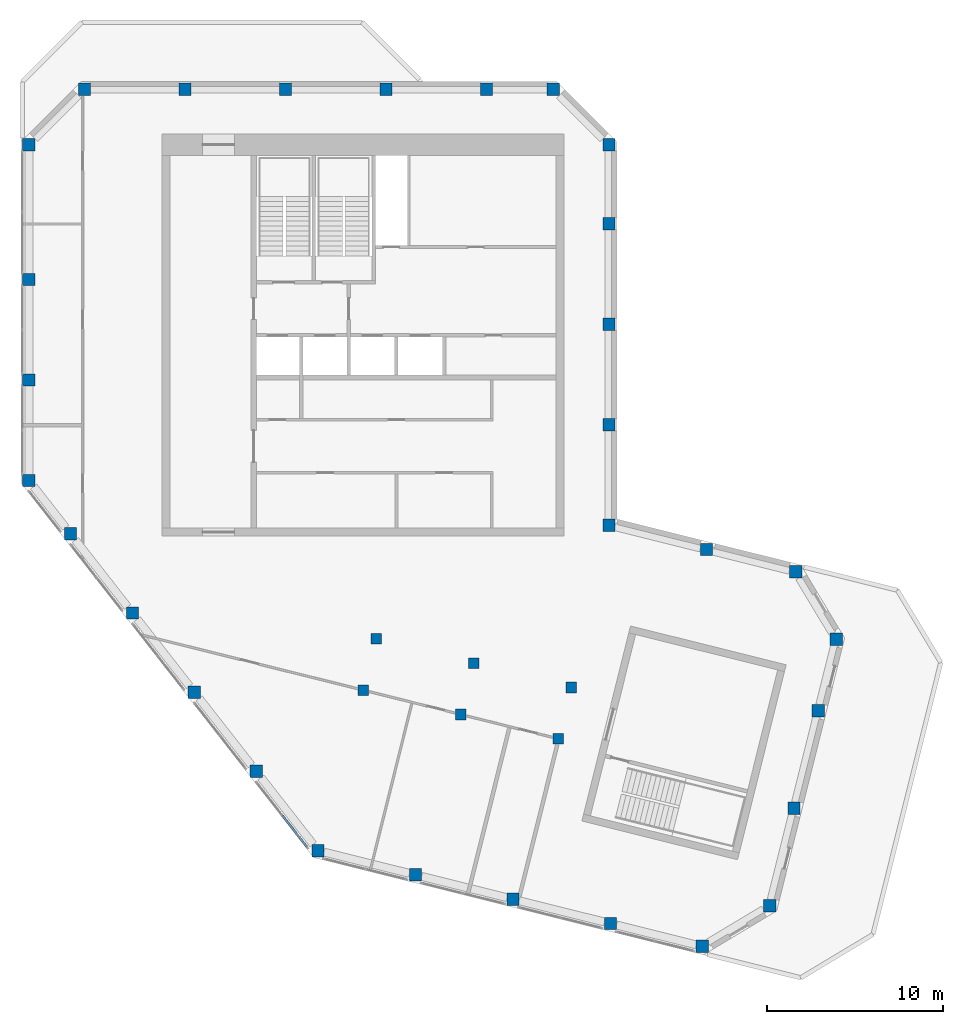
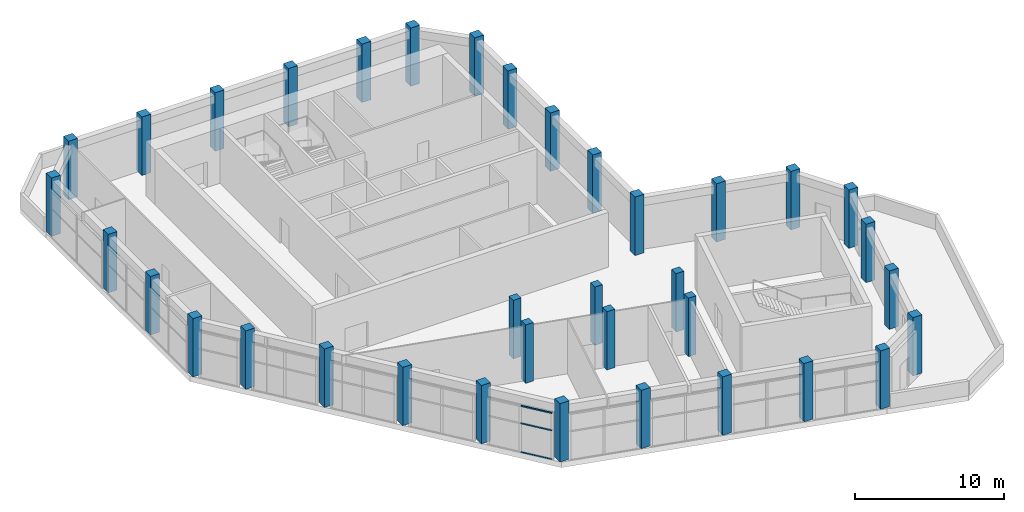
# One storey, part 1 of 10: 36 columns, 3 members, 1 element without a shape of its own.
"""IFC4 building model written with IfcOpenShell, lengths in metres."""

from ifc_helpers import new_model, si_unit, direction, frame, origin, origin_2d, place, context, subcontext, project, spatial, rectangle, extrude, material, material_profile, profile_set, type_object, element, aggregate, save


model = new_model("IFC4")

# Units and contexts
model_context = context("Model", 3, precision=1e-05, world=origin(), true_north=direction((0.0, 1.0)))
body_context = subcontext(model_context, "Body", "Model", "MODEL_VIEW")
ifc_project = project(units=[si_unit("LENGTHUNIT", "METRE"), si_unit("AREAUNIT", "SQUARE_METRE"), si_unit("VOLUMEUNIT", "CUBIC_METRE"), si_unit("PLANEANGLEUNIT", "RADIAN"), si_unit("MASSUNIT", "GRAM", prefix="KILO")], contexts=[model_context])

# Site, building, storey
site_placement = place(None, origin())
site = spatial("IfcSite", under=ifc_project, at=site_placement, CompositionType="ELEMENT")
building_placement = place(site_placement, origin())
building = spatial("IfcBuilding", under=site, at=building_placement, Name="Meshkara Civic Tower", CompositionType="ELEMENT")
storey_placement = place(building_placement, frame((0.0, 0.0, 419.39990234375)))
storey = spatial("IfcBuildingStorey", under=building, at=storey_placement, Name="L96 Crown", CompositionType="ELEMENT", Elevation=419.39990234375)

# Columns
ifc_material_1 = material(Name="Concrete C50", Category="concrete")
ifc_material_profile_1 = material_profile(ifc_material_1, rectangle(XDim=0.60009765625, YDim=0.60009765625, at=origin_2d()))
ifc_profile_set_1 = profile_set([ifc_material_profile_1], Name="Concrete C50")
column_type_1 = type_object("IfcColumnType", Name="Interior column RC 600x600 C50", PredefinedType="COLUMN", material=ifc_profile_set_1)
for number, where, z_axis, x_axis, name in (
    (1, (19.424072265625, 5.360107421875, 0.0), (0.0, 0.0, 1.0), (1.0, 0.0, 0.0), "Column SB1-00 L96 Crown"),
    (2, (24.9541015625, 3.98095703125, 0.0), (0.0, 0.0, 1.0), (1.0, 0.0, 0.0), "Column SB1-01 L96 Crown"),
    (3, (30.485107421875, 2.60205078125, 0.0), (0.0, 0.0, 1.0), (1.0, 0.0, 0.0), "Column SB1-02 L96 Crown"),
    (4, (20.14892578125, 8.27099609375, 0.0), (0.0, 0.0, 1.0), (1.0, 0.0, 0.0), "Column SB2-00 L96 Crown"),
    (5, (25.679931640625, 6.89208984375, 0.0), (0.0, 0.0, 1.0), (1.0, 0.0, 0.0), "Column SB2-01 L96 Crown"),
    (6, (31.2109375, 5.512939453125, 0.0), (0.0, 0.0, 1.0), (1.0, 0.0, 0.0), "Column SB2-02 L96 Crown"),
):
    element("IfcColumn", number, at=place(storey_placement, frame(where, z_axis=z_axis, x_axis=x_axis)), inside=storey, type_object=column_type_1, Name=name, PredefinedType="COLUMN", context=body_context, shape_type="SweptSolid", body=[
        extrude(rectangle(XDim=0.60009765625, YDim=0.60009765625, at=origin_2d()), origin(), (0.0, 0.0, 1.0), 4.800048828125),
    ])
ifc_material_2 = material(Name="Concrete C50", Category="concrete")
ifc_material_profile_2 = material_profile(ifc_material_2, rectangle(XDim=0.699951171875, YDim=0.699951171875, at=origin_2d()))
ifc_profile_set_2 = profile_set([ifc_material_profile_2], Name="Concrete C50")
column_type_2 = type_object("IfcColumnType", Name="Perimeter column RC 700x700 C50", PredefinedType="COLUMN", material=ifc_profile_set_2)
for number, where, z_axis, x_axis, name in (
    (7, (33.35009765625, 14.718994140625, 0.0), (0.0, 0.0, 1.0), (1.0, 0.0, 0.0), "Column HE00 L96 Crown"),
    (8, (33.35009765625, 20.4189453125, 0.0), (0.0, 0.0, 1.0), (1.0, 0.0, 0.0), "Column HE01 L96 Crown"),
    (9, (33.35009765625, 26.118896484375, 0.0), (0.0, 0.0, 1.0), (1.0, 0.0, 0.0), "Column HE02 L96 Crown"),
    (10, (33.35009765625, 31.819091796875, 0.0), (0.0, 0.0, 1.0), (1.0, 0.0, 0.0), "Column HE03 L96 Crown"),
    (11, (33.35009765625, 36.2939453125, 0.0), (0.0, 0.0, 1.0), (1.0, 0.0, 0.0), "Column HEE L96 Crown"),
    (12, (30.194091796875, 39.449951171875, 0.0), (0.0, 0.0, 1.0), (1.0, 0.0, 0.0), "Column HCeE L96 Crown"),
    (13, (3.60595703125, 39.449951171875, 0.0), (0.0, 0.0, 1.0), (1.0, 0.0, 0.0), "Column HN00-P8 L96 Crown"),
    (14, (9.305908203125, 39.449951171875, 0.0), (0.0, 0.0, 1.0), (1.0, 0.0, 0.0), "Column HN01 L96 Crown"),
    (15, (15.006103515625, 39.449951171875, 0.0), (0.0, 0.0, 1.0), (1.0, 0.0, 0.0), "Column HN02 L96 Crown"),
    (16, (20.7060546875, 39.449951171875, 0.0), (0.0, 0.0, 1.0), (1.0, 0.0, 0.0), "Column HN03 L96 Crown"),
    (17, (26.406005859375, 39.449951171875, 0.0), (0.0, 0.0, 1.0), (1.0, 0.0, 0.0), "Column HN04 L96 Crown"),
    (18, (0.449951171875, 36.2939453125, 0.0), (0.0, 0.0, 1.0), (1.0, 0.0, 0.0), "Column HCw00 L96 Crown"),
    (19, (0.449951171875, 17.2548828125, 0.0), (0.0, 0.0, 1.0), (1.0, 0.0, 0.0), "Column AW00 L96 Crown"),
    (20, (0.449951171875, 22.955078125, 0.0), (0.0, 0.0, 1.0), (1.0, 0.0, 0.0), "Column AW01 L96 Crown"),
    (21, (0.449951171875, 28.655029296875, 0.0), (0.0, 0.0, 1.0), (1.0, 0.0, 0.0), "Column AW02 L96 Crown"),
    (22, (16.85107421875, -3.738037109375, 0.0), (0.0, 0.0, 1.0), (1.0, 0.0, 0.0), "Column BOW00 L96 Crown"),
    (23, (13.342041015625, 0.75390625, 0.0), (0.0, 0.0, 1.0), (1.0, 0.0, 0.0), "Column BOW01 L96 Crown"),
    (24, (9.8330078125, 5.2451171875, 0.0), (0.0, 0.0, 1.0), (1.0, 0.0, 0.0), "Column BOW02 L96 Crown"),
    (25, (6.322998046875, 9.737060546875, 0.0), (0.0, 0.0, 1.0), (1.0, 0.0, 0.0), "Column BOW03 L96 Crown"),
    (26, (2.81396484375, 14.22900390625, 0.0), (0.0, 0.0, 1.0), (1.0, 0.0, 0.0), "Column BOW04 L96 Crown"),
    (27, (22.382080078125, -5.116943359375, 0.0), (0.0, 0.0, 1.0), (1.0, 0.0, 0.0), "Column BS01 L96 Crown"),
    (28, (27.912109375, -6.49609375, 0.0), (0.0, 0.0, 1.0), (1.0, 0.0, 0.0), "Column BS02 L96 Crown"),
    (29, (33.443115234375, -7.875, 0.0), (0.0, 0.0, 1.0), (1.0, 0.0, 0.0), "Column BS03 L96 Crown"),
    (30, (38.64306640625, -9.1708984375, 0.0), (0.0, 0.0, 1.0), (1.0, 0.0, 0.0), "Column BSEP8 L96 Crown"),
    (31, (42.468994140625, -6.8720703125, 0.0), (0.0, 0.0, 1.0), (1.0, 0.0, 0.0), "Column BToEP8 L96 Crown"),
    (32, (43.847900390625, -1.341064453125, 0.0), (0.0, 0.0, 1.0), (1.0, 0.0, 0.0), "Column BT01-P8 L96 Crown"),
    (33, (45.22705078125, 4.18896484375, 0.0), (0.0, 0.0, 1.0), (1.0, 0.0, 0.0), "Column BT02-P8 L96 Crown"),
    (34, (46.239990234375, 8.251953125, 0.0), (0.0, 0.0, 1.0), (1.0, 0.0, 0.0), "Column BTEP8 L96 Crown"),
    (35, (43.94091796875, 12.077880859375, 0.0), (0.0, 0.0, 1.0), (1.0, 0.0, 0.0), "Column BTi00-P8 L96 Crown"),
    (36, (38.881103515625, 13.340087890625, 0.0), (0.0, 0.0, 1.0), (1.0, 0.0, 0.0), "Column BN01 L96 Crown"),
):
    element("IfcColumn", number, at=place(storey_placement, frame(where, z_axis=z_axis, x_axis=x_axis)), inside=storey, type_object=column_type_2, Name=name, PredefinedType="COLUMN", context=body_context, shape_type="SweptSolid", body=[
        extrude(rectangle(XDim=0.699951171875, YDim=0.699951171875, at=origin_2d()), origin(), (0.0, 0.0, 1.0), 4.800048828125),
    ])

# Curtain wall, members
ifc_material_3 = material(Name="Tinted double glazing", Category="glass")
curtain_wall_type = type_object("IfcCurtainWallType", Name="CW CROWN LANTERN", PredefinedType="NOTDEFINED", material=ifc_material_3)
curtain_wall_placement = place(storey_placement, origin())
curtain_wall = element("IfcCurtainWall", 37, at=curtain_wall_placement, inside=storey, type_object=curtain_wall_type, Name="Curtain wall CW3", PredefinedType="NOTDEFINED")
ifc_material_4 = material(Name="Bronze anodised aluminium", Category="aluminium")
ifc_material_profile_3 = material_profile(ifc_material_4, rectangle(XDim=0.1201171875, YDim=0.06005859375, at=origin_2d()))
ifc_profile_set_3 = profile_set([ifc_material_profile_3], Name="Bronze anodised aluminium")
member_type = type_object("IfcMemberType", Name="CW TRANSOM 60x120", PredefinedType="USERDEFINED", material=ifc_profile_set_3)
member_1_placement = place(storey_placement, frame((14.823486328125, -1.7431640625, 0.030029296875), z_axis=(0.615623156094, -0.788040690371, 0.0), x_axis=(0.788040690371, 0.615623156094, 0.0)))
member_1 = element("IfcMember", 38, at=member_1_placement, type_object=member_type, Name="CW3 transom 2.1", ObjectType="TRANSOM", PredefinedType="USERDEFINED", context=body_context, shape_type="SweptSolid", body=[
    extrude(rectangle(XDim=0.1201171875, YDim=0.06005859375, at=origin_2d()), origin(), (0.0, 0.0, 1.0), 2.268310546875),
])
member_2_placement = place(storey_placement, frame((14.823486328125, -1.7431640625, 2.400146484375), z_axis=(0.615623156094, -0.788040690371, 0.0), x_axis=(0.788040690371, 0.615623156094, 0.0)))
member_2 = element("IfcMember", 39, at=member_2_placement, type_object=member_type, Name="CW3 transom 2.2", ObjectType="TRANSOM", PredefinedType="USERDEFINED", context=body_context, shape_type="SweptSolid", body=[
    extrude(rectangle(XDim=0.1201171875, YDim=0.06005859375, at=origin_2d()), origin(), (0.0, 0.0, 1.0), 2.268310546875),
])
member_3_placement = place(storey_placement, frame((14.823486328125, -1.7431640625, 3.820068359375), z_axis=(0.615623156094, -0.788040690371, 0.0), x_axis=(0.788040690371, 0.615623156094, 0.0)))
member_3 = element("IfcMember", 40, at=member_3_placement, type_object=member_type, Name="CW3 transom 2.3", ObjectType="TRANSOM", PredefinedType="USERDEFINED", context=body_context, shape_type="SweptSolid", body=[
    extrude(rectangle(XDim=0.1201171875, YDim=0.06005859375, at=origin_2d()), origin(), (0.0, 0.0, 1.0), 2.268310546875),
])
aggregate(curtain_wall, [member_1, member_2, member_3])

save(model, "model.ifc")
